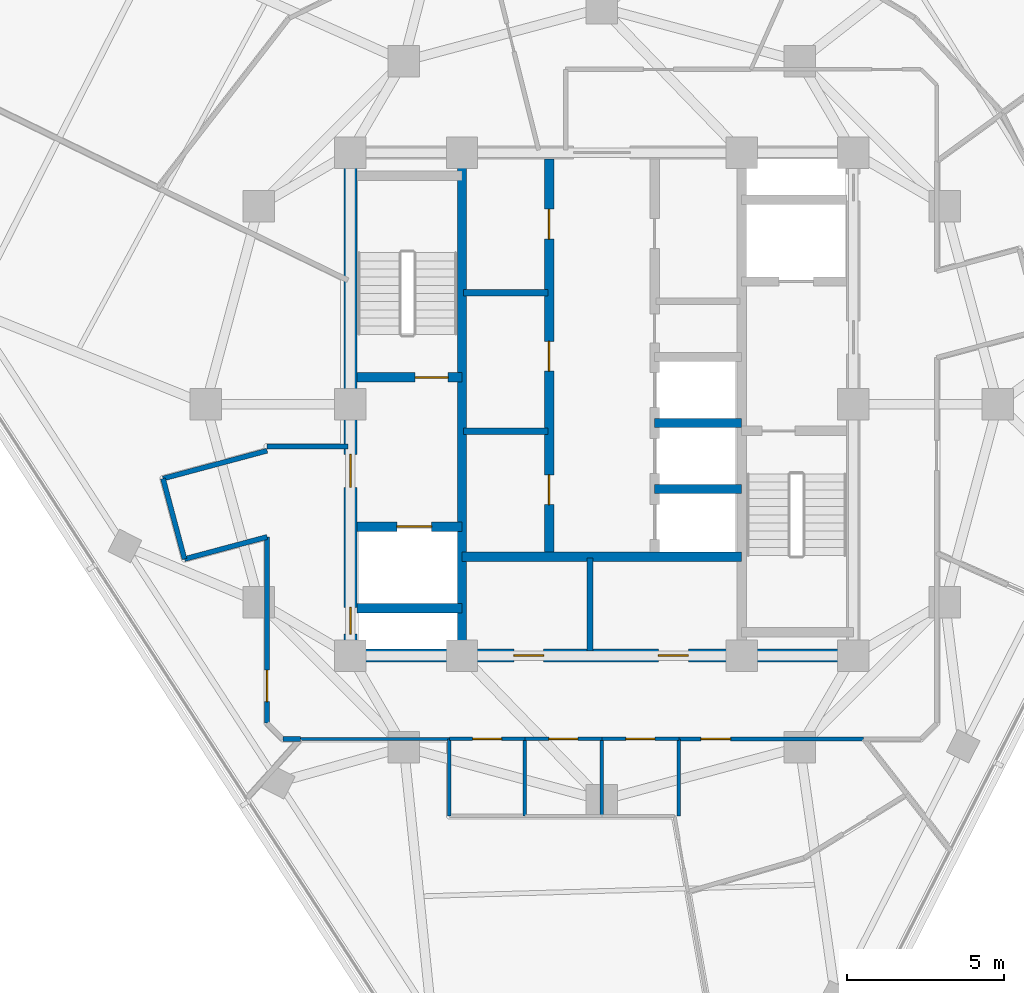
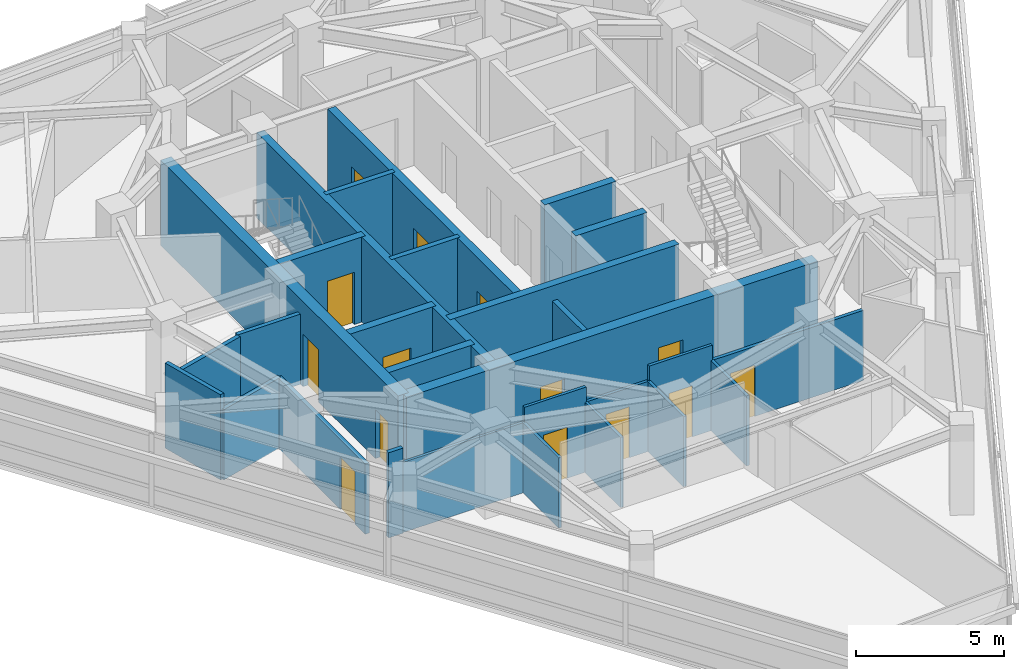
# One storey, part 8 of 15: 28 walls, 14 doors, 14 openings.
"""IFC4 building model written with IfcOpenShell, lengths in metres."""

from ifc_helpers import new_model, si_unit, direction, frame, frame_2d, origin, place, context, subcontext, project, spatial, rectangle, extrude, material, layer, layer_set, type_object, element, fill, save


model = new_model("IFC4")

# Units and contexts
model_context = context("Model", 3, precision=1e-05, world=origin(), true_north=direction((0.0, 1.0)))
body_context = subcontext(model_context, "Body", "Model", "MODEL_VIEW")
ifc_project = project(units=[si_unit("LENGTHUNIT", "METRE"), si_unit("AREAUNIT", "SQUARE_METRE"), si_unit("VOLUMEUNIT", "CUBIC_METRE"), si_unit("PLANEANGLEUNIT", "RADIAN"), si_unit("MASSUNIT", "GRAM", prefix="KILO")], contexts=[model_context])

# Site, building, storey
site_placement = place(None, origin())
site = spatial("IfcSite", under=ifc_project, at=site_placement, CompositionType="ELEMENT")
building_placement = place(site_placement, origin())
building = spatial("IfcBuilding", under=site, at=building_placement, Name="Terralouvre Media Tower", CompositionType="ELEMENT")
storey_placement = place(building_placement, frame((0.0, 0.0, 255.89990234375)))
storey = spatial("IfcBuildingStorey", under=building, at=storey_placement, Name="L66", CompositionType="ELEMENT", Elevation=255.89990234375)

# Wall
ifc_material_1 = material(Name="Concrete C50/60", Category="concrete")
ifc_layer_1 = layer(ifc_material_1, 0.300048828125, Name="Core Internal Shaft Wall CW-300")
ifc_layer_set_1 = layer_set([ifc_layer_1], Name="Concrete C50/60")
wall_type_1 = type_object("IfcWallType", Name="Core Internal Shaft Wall CW-300", PredefinedType="SHEAR", material=ifc_layer_set_1)
wall_1_placement = place(storey_placement, frame((-4.449951171875, -7.7900390625, 0.0), z_axis=(0.0, 0.0, 1.0), x_axis=(0.0, 1.0, 0.0)))
element("IfcWall", 1, at=wall_1_placement, inside=storey, type_object=wall_type_1, Name="L66 Core Shaft Wall SPW", PredefinedType="SHEAR", context=body_context, shape_type="SweptSolid", body=[
    extrude(rectangle(XDim=15.580078125, YDim=0.300048828125, at=frame_2d((7.7900390625, 0.0))), origin(), (0.0, 0.0, 1.0), 3.5),
])

# Wall, opening, door
wall_2_placement = place(storey_placement, frame((-7.7900390625, 0.85009765625, 0.0), z_axis=(0.0, 0.0, 1.0), x_axis=(1.0, 0.0, 0.0)))
wall_2 = element("IfcWall", 2, at=wall_2_placement, inside=storey, type_object=wall_type_1, Name="L66 Core Shaft Wall ST1D", PredefinedType="SHEAR", context=body_context, shape_type="SweptSolid", body=[
    extrude(rectangle(XDim=3.340087890625, YDim=0.300048828125, at=frame_2d((1.669921875, 0.0))), origin(), (0.0, 0.0, 1.0), 3.5),
])
opening_1_placement = place(wall_2_placement, frame((1.85009765625, 0.0, 0.0)))
opening_1 = element("IfcOpeningElement", 3, at=opening_1_placement, cuts=wall_2, Name="Opening FD-01-105X215", PredefinedType="OPENING", context=body_context, shape_type="SweptSolid", body=[
    extrude(rectangle(XDim=1.050048828125, YDim=2.14990234375, at=frame_2d((0.52490234375, 1.074951171875))), frame((0.0, 0.159912109375, 0.0), z_axis=(0.0, -1.0, 0.0), x_axis=(1.0, 0.0, 0.0)), (0.0, 0.0, 1.0), 0.320068359375),
])
ifc_material_2 = material(Name="Galvanised steel fire-resisting leaf", Category="steel")
door_type_1 = type_object("IfcDoorType", Name="Stair and Firefighting Lobby Fire Door FD-01 (1050x2150)", OperationType="NOTDEFINED", PredefinedType="DOOR", material=ifc_material_2)
door_1_placement = place(opening_1_placement, origin())
door_1 = element("IfcDoor", 4, at=door_1_placement, inside=storey, type_object=door_type_1, Name="L66 ST-01 Exit Stair Door", OperationType="SINGLE_SWING_LEFT", OverallHeight=2.14990234375, OverallWidth=1.050048828125, PredefinedType="DOOR", context=body_context, shape_type="SweptSolid", body=[
    extrude(rectangle(XDim=1.050048828125, YDim=2.14990234375, at=frame_2d((0.52490234375, 1.074951171875))), frame((0.0, 0.02490234375, 0.0), z_axis=(0.0, -1.0, 0.0), x_axis=(1.0, 0.0, 0.0)), (0.0, 0.0, 1.0), 0.050048828125),
])
fill(opening_1, door_1)

wall_3_placement = place(storey_placement, frame((-7.7900390625, -3.89990234375, 0.0), z_axis=(0.0, 0.0, 1.0), x_axis=(1.0, 0.0, 0.0)))
wall_3 = element("IfcWall", 5, at=wall_3_placement, inside=storey, type_object=wall_type_1, Name="L66 Core Shaft Wall FF1N", PredefinedType="SHEAR", context=body_context, shape_type="SweptSolid", body=[
    extrude(rectangle(XDim=3.340087890625, YDim=0.300048828125, at=frame_2d((1.669921875, 0.0))), origin(), (0.0, 0.0, 1.0), 3.5),
])
opening_2_placement = place(wall_3_placement, frame((1.27001953125, 0.0, 0.0)))
opening_2 = element("IfcOpeningElement", 6, at=opening_2_placement, cuts=wall_3, Name="Opening LD-FF", PredefinedType="OPENING", context=body_context, shape_type="SweptSolid", body=[
    extrude(rectangle(XDim=1.10009765625, YDim=2.10009765625, at=frame_2d((0.550048828125, 1.050048828125))), frame((0.0, 0.159912109375, 0.0), z_axis=(0.0, -1.0, 0.0), x_axis=(1.0, 0.0, 0.0)), (0.0, 0.0, 1.0), 0.320068359375),
])
ifc_material_3 = material(Name="Stainless steel 316 handrail and balustrade", Category="steel")
door_type_2 = type_object("IfcDoorType", Name="Firefighting Lift Sliding Landing Door LD-FF", OperationType="SLIDING_TO_LEFT", PredefinedType="DOOR", material=ifc_material_3)
door_2_placement = place(opening_2_placement, origin())
door_2 = element("IfcDoor", 7, at=door_2_placement, inside=storey, type_object=door_type_2, Name="L66 Firefighting Lift FFL-01 Landing Door", OperationType="SLIDING_TO_LEFT", OverallHeight=2.10009765625, OverallWidth=1.10009765625, PredefinedType="DOOR", context=body_context, shape_type="SweptSolid", body=[
    extrude(rectangle(XDim=1.10009765625, YDim=2.10009765625, at=frame_2d((0.550048828125, 1.050048828125))), frame((0.0, 0.02490234375, 0.0), z_axis=(0.0, -1.0, 0.0), x_axis=(1.0, 0.0, 0.0)), (0.0, 0.0, 1.0), 0.050048828125),
])
fill(opening_2, door_2)

# Walls
wall_4_placement = place(storey_placement, frame((-7.7900390625, -6.5, 0.0), z_axis=(0.0, 0.0, 1.0), x_axis=(1.0, 0.0, 0.0)))
element("IfcWall", 8, at=wall_4_placement, inside=storey, type_object=wall_type_1, Name="L66 Core Shaft Wall FF1S", PredefinedType="SHEAR", context=body_context, shape_type="SweptSolid", body=[
    extrude(rectangle(XDim=3.340087890625, YDim=0.300048828125, at=frame_2d((1.669921875, 0.0))), origin(), (0.0, 0.0, 1.0), 3.5),
])
wall_5_placement = place(storey_placement, frame((-4.449951171875, -4.85009765625, 0.0), z_axis=(0.0, 0.0, 1.0), x_axis=(1.0, 0.0, 0.0)))
element("IfcWall", 9, at=wall_5_placement, inside=storey, type_object=wall_type_1, Name="L66 Core Shaft Wall CSBN", PredefinedType="SHEAR", context=body_context, shape_type="SweptSolid", body=[
    extrude(rectangle(XDim=8.89990234375, YDim=0.300048828125, at=frame_2d((4.449951171875, 0.0))), origin(), (0.0, 0.0, 1.0), 3.5),
])

# Wall, openings, doors
wall_6_placement = place(storey_placement, frame((-1.679931640625, -4.85009765625, 0.0), z_axis=(0.0, 0.0, 1.0), x_axis=(0.0, 1.0, 0.0)))
wall_6 = element("IfcWall", 10, at=wall_6_placement, inside=storey, type_object=wall_type_1, Name="L66 Core Shaft Wall LBW", PredefinedType="SHEAR", context=body_context, shape_type="SweptSolid", body=[
    extrude(rectangle(XDim=12.64013671875, YDim=0.300048828125, at=frame_2d((6.320068359375, 0.0))), origin(), (0.0, 0.0, 1.0), 3.5),
])
opening_3_placement = place(wall_6_placement, frame((1.64990234375, 0.0, 0.0)))
opening_3 = element("IfcOpeningElement", 11, at=opening_3_placement, cuts=wall_6, Name="Opening FD-02-95X210", PredefinedType="OPENING", context=body_context, shape_type="SweptSolid", body=[
    extrude(rectangle(XDim=0.949951171875, YDim=2.10009765625, at=frame_2d((0.47509765625, 1.050048828125))), frame((0.0, 0.159912109375, 0.0), z_axis=(0.0, -1.0, 0.0), x_axis=(1.0, 0.0, 0.0)), (0.0, 0.0, 1.0), 0.320068359375),
])
opening_4_placement = place(wall_6_placement, frame((5.89990234375, 0.0, 0.0)))
opening_4 = element("IfcOpeningElement", 12, at=opening_4_placement, cuts=wall_6, Name="Opening SD-02", PredefinedType="OPENING", context=body_context, shape_type="SweptSolid", body=[
    extrude(rectangle(XDim=0.949951171875, YDim=2.10009765625, at=frame_2d((0.47509765625, 1.050048828125))), frame((0.0, 0.159912109375, 0.0), z_axis=(0.0, -1.0, 0.0), x_axis=(1.0, 0.0, 0.0)), (0.0, 0.0, 1.0), 0.320068359375),
])
opening_5_placement = place(wall_6_placement, frame((10.10009765625, 0.0, 0.0)))
opening_5 = element("IfcOpeningElement", 13, at=opening_5_placement, cuts=wall_6, Name="Opening FD-02-95X210", PredefinedType="OPENING", context=body_context, shape_type="SweptSolid", body=[
    extrude(rectangle(XDim=0.949951171875, YDim=2.10009765625, at=frame_2d((0.47509765625, 1.050048828125))), frame((0.0, 0.159912109375, 0.0), z_axis=(0.0, -1.0, 0.0), x_axis=(1.0, 0.0, 0.0)), (0.0, 0.0, 1.0), 0.320068359375),
])
ifc_material_4 = material(Name="Galvanised steel fire-resisting leaf", Category="steel")
door_type_3 = type_object("IfcDoorType", Name="Core Service Sliding Fire Door SD-02", OperationType="SLIDING_TO_LEFT", PredefinedType="DOOR", material=ifc_material_4)
door_3_placement = place(opening_4_placement, origin())
door_3 = element("IfcDoor", 14, at=door_3_placement, inside=storey, type_object=door_type_3, Name="L66 Core Pantry Store Door", OperationType="SLIDING_TO_LEFT", OverallHeight=2.10009765625, OverallWidth=0.949951171875, PredefinedType="DOOR", context=body_context, shape_type="SweptSolid", body=[
    extrude(rectangle(XDim=0.949951171875, YDim=2.10009765625, at=frame_2d((0.47509765625, 1.050048828125))), frame((0.0, 0.02490234375, 0.0), z_axis=(0.0, -1.0, 0.0), x_axis=(1.0, 0.0, 0.0)), (0.0, 0.0, 1.0), 0.050048828125),
])
fill(opening_4, door_3)
ifc_material_5 = material(Name="Galvanised steel fire-resisting leaf", Category="steel")
door_type_4 = type_object("IfcDoorType", Name="Plant and Riser Fire Door FD-02 (950x2100)", OperationType="NOTDEFINED", PredefinedType="DOOR", material=ifc_material_5)
door_4_placement = place(opening_3_placement, origin())
door_4 = element("IfcDoor", 15, at=door_4_placement, inside=storey, type_object=door_type_4, Name="L66 Core UPS Switch Plant Door", OperationType="SINGLE_SWING_LEFT", OverallHeight=2.10009765625, OverallWidth=0.949951171875, PredefinedType="DOOR", context=body_context, shape_type="SweptSolid", body=[
    extrude(rectangle(XDim=0.949951171875, YDim=2.10009765625, at=frame_2d((0.47509765625, 1.050048828125))), frame((0.0, 0.02490234375, 0.0), z_axis=(0.0, -1.0, 0.0), x_axis=(1.0, 0.0, 0.0)), (0.0, 0.0, 1.0), 0.050048828125),
])
fill(opening_3, door_4)
door_5_placement = place(opening_5_placement, origin())
door_5 = element("IfcDoor", 16, at=door_5_placement, inside=storey, type_object=door_type_4, Name="L66 Core Edge Server Plant Door", OperationType="SINGLE_SWING_RIGHT", OverallHeight=2.10009765625, OverallWidth=0.949951171875, PredefinedType="DOOR", context=body_context, shape_type="SweptSolid", body=[
    extrude(rectangle(XDim=0.949951171875, YDim=2.10009765625, at=frame_2d((0.47509765625, 1.050048828125))), frame((0.0, 0.02490234375, 0.0), z_axis=(0.0, -1.0, 0.0), x_axis=(1.0, 0.0, 0.0)), (0.0, 0.0, 1.0), 0.050048828125),
])
fill(opening_5, door_5)

# Walls
for number, where, z_axis, x_axis, name in (
    (17, (1.679931640625, -2.699951171875, 0.0), (0.0, 0.0, 1.0), (1.0, 0.0, 0.0), "L66 Core Shaft Wall PLHD1"),
    (18, (1.679931640625, -0.60009765625, 0.0), (0.0, 0.0, 1.0), (1.0, 0.0, 0.0), "L66 Core Shaft Wall PLHD2"),
):
    element("IfcWall", number, at=place(storey_placement, frame(where, z_axis=z_axis, x_axis=x_axis)), inside=storey, type_object=wall_type_1, Name=name, PredefinedType="SHEAR", context=body_context, shape_type="SweptSolid", body=[
        extrude(rectangle(XDim=2.77001953125, YDim=0.300048828125, at=frame_2d((1.385009765625, 0.0))), origin(), (0.0, 0.0, 1.0), 3.5),
    ])

# Wall, openings, doors
ifc_material_6 = material(Name="Concrete C60/75", Category="concrete")
ifc_layer_2 = layer(ifc_material_6, 0.419921875, Name="Core Reinforced Concrete Shear Wall CW-420")
ifc_layer_set_2 = layer_set([ifc_layer_2], Name="Concrete C60/75")
wall_type_2 = type_object("IfcWallType", Name="Core Reinforced Concrete Shear Wall CW-420", PredefinedType="SHEAR", material=ifc_layer_set_2)
wall_7_placement = place(storey_placement, frame((-8.0, -8.0, 0.0), z_axis=(0.0, 0.0, 1.0), x_axis=(0.0, 1.0, 0.0)))
wall_7 = element("IfcWall", 19, at=wall_7_placement, inside=storey, type_object=wall_type_2, Name="L66 W Core Shear Wall", PredefinedType="SHEAR", context=body_context, shape_type="SweptSolid", body=[
    extrude(rectangle(XDim=16.0, YDim=0.419921875, at=frame_2d((8.0, 0.0))), origin(), (0.0, 0.0, 1.0), 3.5),
])
opening_6_placement = place(wall_7_placement, frame((0.68115234375, 0.0, 0.0)))
opening_6 = element("IfcOpeningElement", 20, at=opening_6_placement, cuts=wall_7, Name="Opening TD-R1", PredefinedType="OPENING", context=body_context, shape_type="SweptSolid", body=[
    extrude(rectangle(XDim=0.85009765625, YDim=2.02001953125, at=frame_2d((0.425048828125, 1.010009765625))), frame((0.0, 0.219970703125, 0.0), z_axis=(0.0, -1.0, 0.0), x_axis=(1.0, 0.0, 0.0)), (0.0, 0.0, 1.0), 0.43994140625),
])
opening_7_placement = place(wall_7_placement, frame((5.35009765625, 0.0, 0.0)))
opening_7 = element("IfcOpeningElement", 21, at=opening_7_placement, cuts=wall_7, Name="Opening FD-01-105X215", PredefinedType="OPENING", context=body_context, shape_type="SweptSolid", body=[
    extrude(rectangle(XDim=1.050048828125, YDim=2.14990234375, at=frame_2d((0.52490234375, 1.074951171875))), frame((0.0, 0.219970703125, 0.0), z_axis=(0.0, -1.0, 0.0), x_axis=(1.0, 0.0, 0.0)), (0.0, 0.0, 1.0), 0.43994140625),
])
ifc_material_7 = material(Name="Galvanised steel fire-resisting leaf", Category="steel")
door_type_5 = type_object("IfcDoorType", Name="Riser Inspection Access Trapdoor TD-R1", OperationType="NOTDEFINED", PredefinedType="TRAPDOOR", material=ifc_material_7)
door_6_placement = place(opening_6_placement, origin())
door_6 = element("IfcDoor", 22, at=door_6_placement, inside=storey, type_object=door_type_5, Name="L66 Wet Riser Access Trapdoor", OperationType="SINGLE_SWING_LEFT", OverallHeight=2.02001953125, OverallWidth=0.85009765625, PredefinedType="TRAPDOOR", context=body_context, shape_type="SweptSolid", body=[
    extrude(rectangle(XDim=0.85009765625, YDim=2.02001953125, at=frame_2d((0.425048828125, 1.010009765625))), frame((0.0, 0.02490234375, 0.0), z_axis=(0.0, -1.0, 0.0), x_axis=(1.0, 0.0, 0.0)), (0.0, 0.0, 1.0), 0.050048828125),
])
fill(opening_6, door_6)
door_7_placement = place(opening_7_placement, origin())
door_7 = element("IfcDoor", 23, at=door_7_placement, inside=storey, type_object=door_type_1, Name="L66 West Firefighting Lobby Entry Door", OperationType="SINGLE_SWING_RIGHT", OverallHeight=2.14990234375, OverallWidth=1.050048828125, PredefinedType="DOOR", context=body_context, shape_type="SweptSolid", body=[
    extrude(rectangle(XDim=1.050048828125, YDim=2.14990234375, at=frame_2d((0.52490234375, 1.074951171875))), frame((0.0, 0.02490234375, 0.0), z_axis=(0.0, -1.0, 0.0), x_axis=(1.0, 0.0, 0.0)), (0.0, 0.0, 1.0), 0.050048828125),
])
fill(opening_7, door_7)

wall_8_placement = place(storey_placement, frame((-8.0, -8.0, 0.0), z_axis=(0.0, 0.0, 1.0), x_axis=(1.0, 0.0, 0.0)))
wall_8 = element("IfcWall", 24, at=wall_8_placement, inside=storey, type_object=wall_type_2, Name="L66 S Core Shear Wall", PredefinedType="SHEAR", context=body_context, shape_type="SweptSolid", body=[
    extrude(rectangle(XDim=16.0, YDim=0.419921875, at=frame_2d((8.0, 0.0))), origin(), (0.0, 0.0, 1.0), 3.5),
])
opening_8_placement = place(wall_8_placement, frame((5.199951171875, 0.0, 0.0)))
opening_8 = element("IfcOpeningElement", 25, at=opening_8_placement, cuts=wall_8, Name="Opening FD-02-95X210", PredefinedType="OPENING", context=body_context, shape_type="SweptSolid", body=[
    extrude(rectangle(XDim=0.949951171875, YDim=2.10009765625, at=frame_2d((0.47509765625, 1.050048828125))), frame((0.0, 0.219970703125, 0.0), z_axis=(0.0, -1.0, 0.0), x_axis=(1.0, 0.0, 0.0)), (0.0, 0.0, 1.0), 0.43994140625),
])
opening_9_placement = place(wall_8_placement, frame((9.800048828125, 0.0, 0.0)))
opening_9 = element("IfcOpeningElement", 26, at=opening_9_placement, cuts=wall_8, Name="Opening FD-02-95X210", PredefinedType="OPENING", context=body_context, shape_type="SweptSolid", body=[
    extrude(rectangle(XDim=0.949951171875, YDim=2.10009765625, at=frame_2d((0.47509765625, 1.050048828125))), frame((0.0, 0.219970703125, 0.0), z_axis=(0.0, -1.0, 0.0), x_axis=(1.0, 0.0, 0.0)), (0.0, 0.0, 1.0), 0.43994140625),
])
door_8_placement = place(opening_8_placement, origin())
door_8 = element("IfcDoor", 27, at=door_8_placement, inside=storey, type_object=door_type_4, Name="L66 Core Valve Plant Door", OperationType="SINGLE_SWING_LEFT", OverallHeight=2.10009765625, OverallWidth=0.949951171875, PredefinedType="DOOR", context=body_context, shape_type="SweptSolid", body=[
    extrude(rectangle(XDim=0.949951171875, YDim=2.10009765625, at=frame_2d((0.47509765625, 1.050048828125))), frame((0.0, 0.02490234375, 0.0), z_axis=(0.0, -1.0, 0.0), x_axis=(1.0, 0.0, 0.0)), (0.0, 0.0, 1.0), 0.050048828125),
])
fill(opening_8, door_8)
door_9_placement = place(opening_9_placement, origin())
door_9 = element("IfcDoor", 28, at=door_9_placement, inside=storey, type_object=door_type_4, Name="L66 Core MDF Plant Door", OperationType="SINGLE_SWING_RIGHT", OverallHeight=2.10009765625, OverallWidth=0.949951171875, PredefinedType="DOOR", context=body_context, shape_type="SweptSolid", body=[
    extrude(rectangle(XDim=0.949951171875, YDim=2.10009765625, at=frame_2d((0.47509765625, 1.050048828125))), frame((0.0, 0.02490234375, 0.0), z_axis=(0.0, -1.0, 0.0), x_axis=(1.0, 0.0, 0.0)), (0.0, 0.0, 1.0), 0.050048828125),
])
fill(opening_9, door_9)

# Walls
ifc_material_8 = material(Name="Low-iron laminated double glazing with solar-control coating", Category="glass")
ifc_layer_3 = layer(ifc_material_8, 0.10009765625, Name="Demountable Glazed Office Partition PT-GL100")
ifc_layer_set_3 = layer_set([ifc_layer_3], Name="Low-iron laminated double glazing with solar-control coating")
wall_type_3 = type_object("IfcWallType", Name="Demountable Glazed Office Partition PT-GL100", PredefinedType="MOVABLE", material=ifc_layer_set_3)
wall_9_placement = place(storey_placement, frame((-9.589111328125, -10.64990234375, 0.0), z_axis=(0.0, 0.0, 1.0), x_axis=(1.0, 0.0, 0.0)))
element("IfcWall", 29, at=wall_9_placement, inside=storey, type_object=wall_type_3, Name="L66 Interior Partition 014", PredefinedType="MOVABLE", context=body_context, shape_type="SweptSolid", body=[
    extrude(rectangle(XDim=4.739013671875, YDim=0.10009765625, at=frame_2d((2.36962890625, 0.0))), origin(), (0.0, 0.0, 1.0), 2.885009765625),
])
ifc_material_9 = material(Name="Fire-rated gypsum board drywall partition")
ifc_layer_4 = layer(ifc_material_9, 0.199951171875, Name="Fire-Rated Shaft and Lobby Partition FW-200")
ifc_layer_set_4 = layer_set([ifc_layer_4], Name="Fire-rated gypsum board drywall partition")
wall_type_4 = type_object("IfcWallType", Name="Fire-Rated Shaft and Lobby Partition FW-200", PredefinedType="SOLIDWALL", material=ifc_layer_set_4)
wall_10_placement = place(storey_placement, frame((-0.3798828125, -7.85009765625, 0.0), z_axis=(0.0, 0.0, 1.0), x_axis=(0.0, 1.0, 0.0)))
element("IfcWall", 30, at=wall_10_placement, inside=storey, type_object=wall_type_4, Name="L66 Core Service Bay Partition 1", PredefinedType="SOLIDWALL", context=body_context, shape_type="SweptSolid", body=[
    extrude(rectangle(XDim=2.9501953125, YDim=0.199951171875, at=frame_2d((1.47509765625, 0.0))), origin(), (0.0, 0.0, 1.0), 2.885009765625),
])
for number, where, z_axis, x_axis, name in (
    (31, (-4.39990234375, -0.860107421875, 0.0), (0.0, 0.0, 1.0), (1.0, 0.0, 0.0), "L66 Core West Sub-Partition 1"),
    (32, (-4.39990234375, 3.5400390625, 0.0), (0.0, 0.0, 1.0), (1.0, 0.0, 0.0), "L66 Core West Sub-Partition 2"),
):
    element("IfcWall", number, at=place(storey_placement, frame(where, z_axis=z_axis, x_axis=x_axis)), inside=storey, type_object=wall_type_4, Name=name, PredefinedType="SOLIDWALL", context=body_context, shape_type="SweptSolid", body=[
        extrude(rectangle(XDim=2.679931640625, YDim=0.199951171875, at=frame_2d((1.33984375, 0.0))), origin(), (0.0, 0.0, 1.0), 3.5),
    ])

# Wall, opening, door
ifc_material_10 = material(Name="Fire-rated gypsum board drywall partition")
ifc_layer_5 = layer(ifc_material_10, 0.135009765625, Name="Newsroom Acoustic Partition PT-135")
ifc_layer_set_5 = layer_set([ifc_layer_5], Name="Fire-rated gypsum board drywall partition")
wall_type_5 = type_object("IfcWallType", Name="Newsroom Acoustic Partition PT-135", PredefinedType="PARTITIONING", material=ifc_layer_set_5)
wall_11_placement = place(storey_placement, frame((2.449951171875, -10.64990234375, 0.0), z_axis=(0.0, 0.0, 1.0), x_axis=(1.0, 0.0, 0.0)))
wall_11 = element("IfcWall", 33, at=wall_11_placement, inside=storey, type_object=wall_type_5, Name="L66 Interior Partition 017", PredefinedType="PARTITIONING", context=body_context, shape_type="SweptSolid", body=[
    extrude(rectangle(XDim=5.87109375, YDim=0.135009765625, at=frame_2d((2.935546875, 0.0))), origin(), (0.0, 0.0, 1.0), 2.885009765625),
])
opening_10_placement = place(wall_11_placement, frame((0.69921875, 0.0, 0.0)))
opening_10 = element("IfcOpeningElement", 34, at=opening_10_placement, cuts=wall_11, Name="Opening ID-02-95X210", PredefinedType="OPENING", context=body_context, shape_type="SweptSolid", body=[
    extrude(rectangle(XDim=0.949951171875, YDim=2.10009765625, at=frame_2d((0.47509765625, 1.050048828125))), frame((0.0, 0.077392578125, 0.0), z_axis=(0.0, -1.0, 0.0), x_axis=(1.0, 0.0, 0.0)), (0.0, 0.0, 1.0), 0.155029296875),
])
ifc_material_11 = material(Name="Engineered hardwood acoustic timber leaf", Category="wood")
door_type_6 = type_object("IfcDoorType", Name="Office and Meeting Room Door ID-02 (950x2100)", OperationType="NOTDEFINED", PredefinedType="DOOR", material=ifc_material_11)
door_10_placement = place(opening_10_placement, origin())
door_10 = element("IfcDoor", 35, at=door_10_placement, inside=storey, type_object=door_type_6, Name="L66 Book Review Reading Study 5 Door", OperationType="SINGLE_SWING_LEFT", OverallHeight=2.10009765625, OverallWidth=0.949951171875, PredefinedType="DOOR", context=body_context, shape_type="SweptSolid", body=[
    extrude(rectangle(XDim=0.949951171875, YDim=2.10009765625, at=frame_2d((0.47509765625, 1.050048828125))), frame((0.0, 0.02490234375, 0.0), z_axis=(0.0, -1.0, 0.0), x_axis=(1.0, 0.0, 0.0)), (0.0, 0.0, 1.0), 0.050048828125),
])
fill(opening_10, door_10)

ifc_material_12 = material(Name="Fire-rated gypsum board drywall partition")
ifc_layer_6 = layer(ifc_material_12, 0.114990234375, Name="Restroom and Pantry Partition PT-115")
ifc_layer_set_6 = layer_set([ifc_layer_6], Name="Fire-rated gypsum board drywall partition")
wall_type_6 = type_object("IfcWallType", Name="Restroom and Pantry Partition PT-115", PredefinedType="PARTITIONING", material=ifc_layer_set_6)
wall_12_placement = place(storey_placement, frame((-4.85009765625, -10.64990234375, 0.0), z_axis=(0.0, 0.0, 1.0), x_axis=(1.0, 0.0, 0.0)))
wall_12 = element("IfcWall", 36, at=wall_12_placement, inside=storey, type_object=wall_type_6, Name="L66 Interior Partition 013", PredefinedType="PARTITIONING", context=body_context, shape_type="SweptSolid", body=[
    extrude(rectangle(XDim=2.400146484375, YDim=0.114990234375, at=frame_2d((1.2001953125, 0.0))), origin(), (0.0, 0.0, 1.0), 3.5),
])
opening_11_placement = place(wall_12_placement, frame((0.739990234375, 0.0, 0.0)))
opening_11 = element("IfcOpeningElement", 37, at=opening_11_placement, cuts=wall_12, Name="Opening ID-03-92X210", PredefinedType="OPENING", context=body_context, shape_type="SweptSolid", body=[
    extrude(rectangle(XDim=0.919921875, YDim=2.10009765625, at=frame_2d((0.4599609375, 1.050048828125))), frame((0.0, 0.0673828125, 0.0), z_axis=(0.0, -1.0, 0.0), x_axis=(1.0, 0.0, 0.0)), (0.0, 0.0, 1.0), 0.135009765625),
])
ifc_material_13 = material(Name="Engineered hardwood acoustic timber leaf", Category="wood")
door_type_7 = type_object("IfcDoorType", Name="Accessible Restroom and Suite Door ID-03 (920x2100)", OperationType="NOTDEFINED", PredefinedType="DOOR", material=ifc_material_13)
door_11_placement = place(opening_11_placement, origin())
door_11 = element("IfcDoor", 38, at=door_11_placement, inside=storey, type_object=door_type_7, Name="L66 Male Restroom WC Door", OperationType="SINGLE_SWING_RIGHT", OverallHeight=2.10009765625, OverallWidth=0.919921875, PredefinedType="DOOR", context=body_context, shape_type="SweptSolid", body=[
    extrude(rectangle(XDim=0.919921875, YDim=2.10009765625, at=frame_2d((0.4599609375, 1.050048828125))), frame((0.0, 0.02490234375, 0.0), z_axis=(0.0, -1.0, 0.0), x_axis=(1.0, 0.0, 0.0)), (0.0, 0.0, 1.0), 0.050048828125),
])
fill(opening_11, door_11)

wall_13_placement = place(storey_placement, frame((-2.449951171875, -10.64990234375, 0.0), z_axis=(0.0, 0.0, 1.0), x_axis=(1.0, 0.0, 0.0)))
wall_13 = element("IfcWall", 39, at=wall_13_placement, inside=storey, type_object=wall_type_6, Name="L66 Interior Partition 015", PredefinedType="PARTITIONING", context=body_context, shape_type="SweptSolid", body=[
    extrude(rectangle(XDim=2.449951171875, YDim=0.114990234375, at=frame_2d((1.22509765625, 0.0))), origin(), (0.0, 0.0, 1.0), 2.885009765625),
])
opening_12_placement = place(wall_13_placement, frame((0.764892578125, 0.0, 0.0)))
opening_12 = element("IfcOpeningElement", 40, at=opening_12_placement, cuts=wall_13, Name="Opening ID-03-92X210", PredefinedType="OPENING", context=body_context, shape_type="SweptSolid", body=[
    extrude(rectangle(XDim=0.919921875, YDim=2.10009765625, at=frame_2d((0.4599609375, 1.050048828125))), frame((0.0, 0.0673828125, 0.0), z_axis=(0.0, -1.0, 0.0), x_axis=(1.0, 0.0, 0.0)), (0.0, 0.0, 1.0), 0.135009765625),
])
door_12_placement = place(opening_12_placement, origin())
door_12 = element("IfcDoor", 41, at=door_12_placement, inside=storey, type_object=door_type_7, Name="L66 Female Restroom WC Door", OperationType="SINGLE_SWING_LEFT", OverallHeight=2.10009765625, OverallWidth=0.919921875, PredefinedType="DOOR", context=body_context, shape_type="SweptSolid", body=[
    extrude(rectangle(XDim=0.919921875, YDim=2.10009765625, at=frame_2d((0.4599609375, 1.050048828125))), frame((0.0, 0.02490234375, 0.0), z_axis=(0.0, -1.0, 0.0), x_axis=(1.0, 0.0, 0.0)), (0.0, 0.0, 1.0), 0.050048828125),
])
fill(opening_12, door_12)

wall_14_placement = place(storey_placement, frame((0.0, -10.64990234375, 0.0), z_axis=(0.0, 0.0, 1.0), x_axis=(1.0, 0.0, 0.0)))
wall_14 = element("IfcWall", 42, at=wall_14_placement, inside=storey, type_object=wall_type_6, Name="L66 Interior Partition 016", PredefinedType="PARTITIONING", context=body_context, shape_type="SweptSolid", body=[
    extrude(rectangle(XDim=2.449951171875, YDim=0.114990234375, at=frame_2d((1.22509765625, 0.0))), origin(), (0.0, 0.0, 1.0), 3.5),
])
opening_13_placement = place(wall_14_placement, frame((0.764892578125, 0.0, 0.0)))
opening_13 = element("IfcOpeningElement", 43, at=opening_13_placement, cuts=wall_14, Name="Opening ID-03-92X210", PredefinedType="OPENING", context=body_context, shape_type="SweptSolid", body=[
    extrude(rectangle(XDim=0.919921875, YDim=2.10009765625, at=frame_2d((0.4599609375, 1.050048828125))), frame((0.0, 0.0673828125, 0.0), z_axis=(0.0, -1.0, 0.0), x_axis=(1.0, 0.0, 0.0)), (0.0, 0.0, 1.0), 0.135009765625),
])
door_13_placement = place(opening_13_placement, origin())
door_13 = element("IfcDoor", 44, at=door_13_placement, inside=storey, type_object=door_type_7, Name="L66 Accessible Unisex WC Door", OperationType="SINGLE_SWING_RIGHT", OverallHeight=2.10009765625, OverallWidth=0.919921875, PredefinedType="DOOR", context=body_context, shape_type="SweptSolid", body=[
    extrude(rectangle(XDim=0.919921875, YDim=2.10009765625, at=frame_2d((0.4599609375, 1.050048828125))), frame((0.0, 0.02490234375, 0.0), z_axis=(0.0, -1.0, 0.0), x_axis=(1.0, 0.0, 0.0)), (0.0, 0.0, 1.0), 0.050048828125),
])
fill(opening_13, door_13)

# Walls
for number, where, z_axis, x_axis, name in (
    (45, (-4.85009765625, -10.64990234375, 0.0), (0.0, 0.0, 1.0), (0.0, -1.0, 0.0), "L66 Interior Partition 034"),
    (46, (-2.449951171875, -13.10009765625, 0.0), (0.0, 0.0, 1.0), (0.0, 1.0, 0.0), "L66 Interior Partition 036"),
    (47, (0.0, -13.10009765625, 0.0), (0.0, 0.0, 1.0), (0.0, 1.0, 0.0), "L66 Interior Partition 041"),
    (48, (2.449951171875, -13.10009765625, 0.0), (0.0, 0.0, 1.0), (0.0, 1.0, 0.0), "L66 Interior Partition 042"),
):
    element("IfcWall", number, at=place(storey_placement, frame(where, z_axis=z_axis, x_axis=x_axis)), inside=storey, type_object=wall_type_6, Name=name, PredefinedType="PARTITIONING", context=body_context, shape_type="SweptSolid", body=[
        extrude(rectangle(XDim=2.4501953125, YDim=0.114990234375, at=frame_2d((1.22509765625, 0.0))), origin(), (0.0, 0.0, 1.0), 2.885009765625),
    ])
ifc_material_14 = material(Name="Fire-rated gypsum board drywall partition")
ifc_layer_7 = layer(ifc_material_14, 0.159912109375, Name="Studio Acoustic Rated Partition PT-160")
ifc_layer_set_7 = layer_set([ifc_layer_7], Name="Fire-rated gypsum board drywall partition")
wall_type_7 = type_object("IfcWallType", Name="Studio Acoustic Rated Partition PT-160", PredefinedType="PARTITIONING", material=ifc_layer_set_7)
wall_15_placement = place(storey_placement, frame((-8.080078125, -1.35009765625, 0.0), z_axis=(0.0, 0.0, 1.0), x_axis=(-1.0, 0.0, 0.0)))
element("IfcWall", 49, at=wall_15_placement, inside=storey, type_object=wall_type_7, Name="L66 Interior Partition 001", PredefinedType="PARTITIONING", context=body_context, shape_type="SweptSolid", body=[
    extrude(rectangle(XDim=2.56982421875, YDim=0.159912109375, at=frame_2d((1.284912109375, 0.0))), origin(), (0.0, 0.0, 1.0), 2.885009765625),
])
wall_16_placement = place(storey_placement, frame((-10.64990234375, -1.48193359375, 0.0), z_axis=(0.0, 0.0, 1.0), x_axis=(-0.965961397105, -0.2586862565, 0.0)))
element("IfcWall", 50, at=wall_16_placement, inside=storey, type_object=wall_type_7, Name="L66 Interior Partition 002", PredefinedType="PARTITIONING", context=body_context, shape_type="SweptSolid", body=[
    extrude(rectangle(XDim=3.4287109375, YDim=0.159912109375, at=frame_2d((1.71435546875, 0.0))), origin(), (0.0, 0.0, 1.0), 2.885009765625),
])
wall_17_placement = place(storey_placement, frame((-13.9619140625, -2.368896484375, 0.0), z_axis=(0.0, 0.0, 1.0), x_axis=(0.258413725385, -0.966034340245, 0.0)))
element("IfcWall", 51, at=wall_17_placement, inside=storey, type_object=wall_type_7, Name="L66 Interior Partition 003", PredefinedType="PARTITIONING", context=body_context, shape_type="SweptSolid", body=[
    extrude(rectangle(XDim=2.650146484375, YDim=0.159912109375, at=frame_2d((1.3251953125, 0.0))), origin(), (0.0, 0.0, 1.0), 3.5),
])
wall_18_placement = place(storey_placement, frame((-13.277099609375, -4.928955078125, 0.0), z_axis=(0.0, 0.0, 1.0), x_axis=(0.965934830229, 0.258785439601, 0.0)))
element("IfcWall", 52, at=wall_18_placement, inside=storey, type_object=wall_type_7, Name="L66 Interior Partition 004", PredefinedType="PARTITIONING", context=body_context, shape_type="SweptSolid", body=[
    extrude(rectangle(XDim=2.719970703125, YDim=0.159912109375, at=frame_2d((1.35986328125, 0.0))), origin(), (0.0, 0.0, 1.0), 2.885009765625),
])

# Wall, opening, door
wall_19_placement = place(storey_placement, frame((-10.64990234375, -4.22509765625, 0.0), z_axis=(0.0, 0.0, 1.0), x_axis=(0.0, -1.0, 0.0)))
wall_19 = element("IfcWall", 53, at=wall_19_placement, inside=storey, type_object=wall_type_7, Name="L66 Interior Partition 005", PredefinedType="PARTITIONING", context=body_context, shape_type="SweptSolid", body=[
    extrude(rectangle(XDim=5.9248046875, YDim=0.159912109375, at=frame_2d((2.96240234375, 0.0))), origin(), (0.0, 0.0, 1.0), 2.885009765625),
])
opening_14_placement = place(wall_19_placement, frame((4.239990234375, 0.0, 0.0)))
opening_14 = element("IfcOpeningElement", 54, at=opening_14_placement, cuts=wall_19, Name="Opening ID-01-100X215", PredefinedType="OPENING", context=body_context, shape_type="SweptSolid", body=[
    extrude(rectangle(XDim=1.0, YDim=2.14990234375, at=frame_2d((0.5, 1.074951171875))), frame((0.0, 0.08984375, 0.0), z_axis=(0.0, -1.0, 0.0), x_axis=(1.0, 0.0, 0.0)), (0.0, 0.0, 1.0), 0.179931640625),
])
ifc_material_15 = material(Name="Engineered hardwood acoustic timber leaf", Category="wood")
door_type_8 = type_object("IfcDoorType", Name="Broadcast Studio Acoustic Single Door ID-01 (1000x2150)", OperationType="NOTDEFINED", PredefinedType="DOOR", material=ifc_material_15)
door_14_placement = place(opening_14_placement, origin())
door_14 = element("IfcDoor", 55, at=door_14_placement, inside=storey, type_object=door_type_8, Name="L66 Audio Digitisation Control Room 1 Door", OperationType="SINGLE_SWING_RIGHT", OverallHeight=2.14990234375, OverallWidth=1.0, PredefinedType="DOOR", context=body_context, shape_type="SweptSolid", body=[
    extrude(rectangle(XDim=1.0, YDim=2.14990234375, at=frame_2d((0.5, 1.074951171875))), frame((0.0, 0.02490234375, 0.0), z_axis=(0.0, -1.0, 0.0), x_axis=(1.0, 0.0, 0.0)), (0.0, 0.0, 1.0), 0.050048828125),
])
fill(opening_14, door_14)

# Wall
wall_20_placement = place(storey_placement, frame((-10.14990234375, -10.64990234375, 0.0), z_axis=(0.0, 0.0, 1.0), x_axis=(1.0, 0.0, 0.0)))
element("IfcWall", 56, at=wall_20_placement, inside=storey, type_object=wall_type_7, Name="L66 Interior Partition 007", PredefinedType="PARTITIONING", context=body_context, shape_type="SweptSolid", body=[
    extrude(rectangle(XDim=0.560791015625, YDim=0.159912109375, at=frame_2d((0.2802734375, 0.0))), origin(), (0.0, 0.0, 1.0), 3.5),
])

save(model, "model.ifc")
